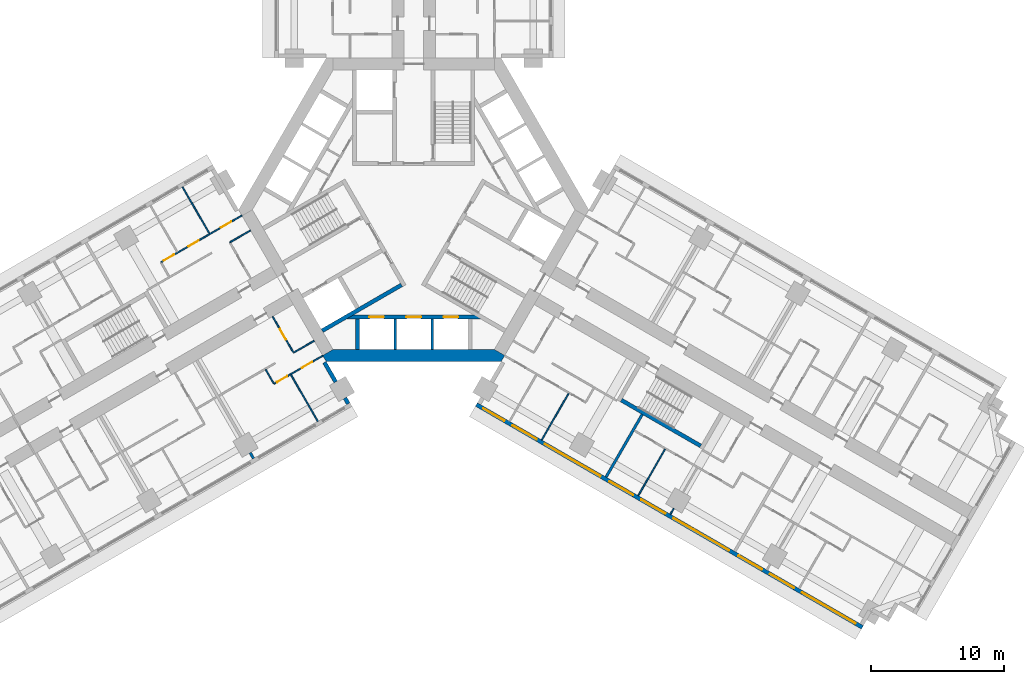
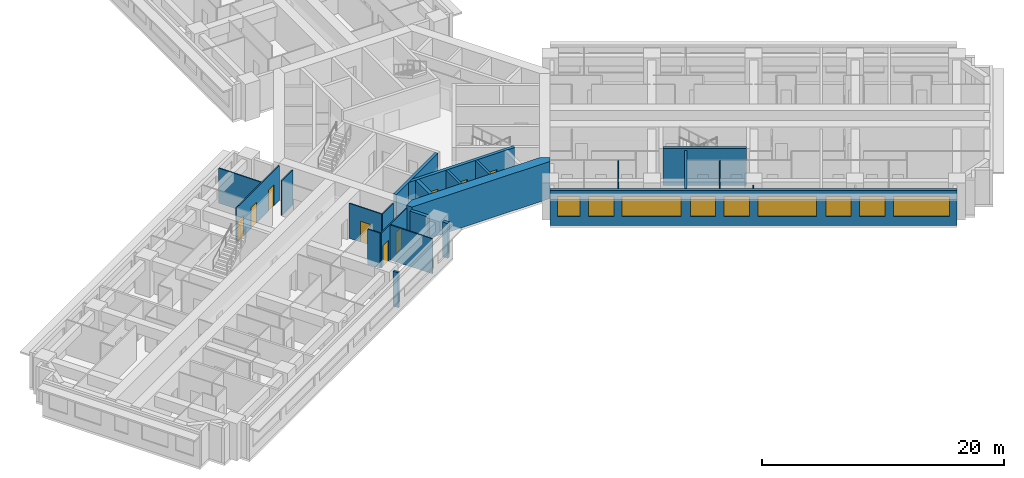
# One storey, part 6 of 16: 23 walls, 9 doors, 9 windows, 18 openings.
"""IFC4 building model written with IfcOpenShell, lengths in metres."""

import ifcopenshell
import ifcopenshell.guid

model = None  # the IFC model being written
_history = None  # IfcOwnerHistory: only IFC2X3 demands one
_inside = {}  # id of a spatial element -> (the spatial element, [elements in it])
_under = {}  # id of a project, library or spatial element -> (it, [spatial elements below it])
_declared = {}  # id of a project -> (the project, [libraries it declares])
_typed = {}  # id of a type object -> (the type object, [elements of that type])
_made_of = {}  # id of a material, layer set ... -> (it, [elements and type objects made of it])


def new_model(schema):
    """Start an empty IFC model of exactly this schema.

    Asked for "IFC4X3", IfcOpenShell would pick the latest addendum, in which some entities
    have other attributes; the version numbers below select the first issue.
    IFC2X3 requires an IfcOwnerHistory on every rooted entity: one is made here for all.
    """
    global model, _history
    if schema == "IFC4X3":
        model = ifcopenshell.file(schema_version=(4, 3, 0, 0))
    else:
        model = ifcopenshell.file(schema=schema)
    _inside.clear()
    _under.clear()
    _declared.clear()
    _typed.clear()
    _made_of.clear()
    _history = None
    if model.schema == "IFC2X3":
        org = make("IfcOrganization", Name="unknown")
        user = make(
            "IfcPersonAndOrganization",
            ThePerson=make("IfcPerson", FamilyName="unknown"),
            TheOrganization=org,
        )
        app = make(
            "IfcApplication",
            ApplicationDeveloper=org,
            Version="unknown",
            ApplicationFullName="unknown",
            ApplicationIdentifier="unknown",
        )
        _history = make(
            "IfcOwnerHistory",
            OwningUser=user,
            OwningApplication=app,
            ChangeAction="ADDED",
            CreationDate=0,
        )
    return model


def make(cls, **values):
    """One entity of the class cls with the attributes given. An attribute that is None is left unset."""
    return model.create_entity(
        cls, **{name: value for name, value in values.items() if value is not None}
    )


def rooted(cls, **values):
    """An entity with a GlobalId (a new one), such as an element, a storey or a relation."""
    return make(cls, GlobalId=ifcopenshell.guid.new(), OwnerHistory=_history, **values)


def si_unit(unit_type, name, prefix=None):
    """IfcSIUnit, for example si_unit("LENGTHUNIT", "METRE", prefix="MILLI")."""
    return make("IfcSIUnit", UnitType=unit_type, Prefix=prefix, Name=name)


def assignment(units):
    """IfcUnitAssignment: the units of a project."""
    return None if units is None else make("IfcUnitAssignment", Units=units)


def point(xyz):
    """IfcCartesianPoint."""
    return None if xyz is None else make("IfcCartesianPoint", Coordinates=xyz)


def direction(xyz):
    """IfcDirection."""
    return None if xyz is None else make("IfcDirection", DirectionRatios=xyz)


def frame(location, z_axis=None, x_axis=None):
    """IfcAxis2Placement3D, a coordinate frame: its origin and axes. An axis left out is left unset."""
    return make(
        "IfcAxis2Placement3D",
        Location=point(location),
        Axis=direction(z_axis),
        RefDirection=direction(x_axis),
    )


def frame_2d(location, x_axis=None):
    """IfcAxis2Placement2D, a coordinate frame in the plane: its origin and x axis."""
    return make(
        "IfcAxis2Placement2D", Location=point(location), RefDirection=direction(x_axis)
    )


def origin():
    """The frame at (0, 0, 0) with its axes left unset."""
    return frame((0.0, 0.0, 0.0))


def place(relative_to, where):
    """IfcLocalPlacement: puts the frame where relative to a parent placement (None: the world)."""
    return make(
        "IfcLocalPlacement", PlacementRelTo=relative_to, RelativePlacement=where
    )


def context(
    kind, dimensions, precision=None, world=None, true_north=None, identifier=None
):
    """IfcGeometricRepresentationContext, for example the 3D "Model" context."""
    return make(
        "IfcGeometricRepresentationContext",
        ContextIdentifier=identifier,
        ContextType=kind,
        CoordinateSpaceDimension=dimensions,
        Precision=precision,
        WorldCoordinateSystem=world,
        TrueNorth=true_north,
    )


def subcontext(parent, identifier, kind, view, scale=None):
    """IfcGeometricRepresentationSubContext, for example "Body" below "Model"."""
    return make(
        "IfcGeometricRepresentationSubContext",
        ContextIdentifier=identifier,
        ContextType=kind,
        ParentContext=parent,
        TargetScale=scale,
        TargetView=view,
    )


def project(units=None, contexts=None):
    """IfcProject with its units and contexts."""
    return rooted(
        "IfcProject",
        Name="project",
        RepresentationContexts=contexts,
        UnitsInContext=assignment(units),
    )


def spatial(cls, under=None, at=None, **own):
    """A site, building, storey or space (cls), placed at a placement, below another one or the project."""
    s = rooted(cls, ObjectPlacement=at, **own)
    if under is not None:
        _under.setdefault(under.id(), (under, []))[1].append(s)
    return s


def polyline(points):
    """IfcPolyline through the points."""
    return make("IfcPolyline", Points=[point(p) for p in points])


def profile(cls, at=None, kind="AREA", **sizes):
    """A parametric profile (cls). Its sizes go by their IFC names, for example OverallWidth=200.0."""
    return make(cls, ProfileType=kind, Position=at, **sizes)


def rectangle(**sizes):
    """IfcRectangleProfileDef."""
    return profile("IfcRectangleProfileDef", **sizes)


def outline(outer, holes=None, kind="AREA"):
    """IfcArbitraryClosedProfileDef: a profile drawn as a closed curve; with holes, ...WithVoids."""
    if holes is None:
        return make("IfcArbitraryClosedProfileDef", ProfileType=kind, OuterCurve=outer)
    return make(
        "IfcArbitraryProfileDefWithVoids",
        ProfileType=kind,
        OuterCurve=outer,
        InnerCurves=holes,
    )


def extrude(swept, where, along, depth):
    """IfcExtrudedAreaSolid: the profile swept, set in the frame where, extruded along a direction by depth."""
    return make(
        "IfcExtrudedAreaSolid",
        SweptArea=swept,
        Position=where,
        ExtrudedDirection=direction(along),
        Depth=depth,
    )


def shape(context_of_items, identifier, shape_type, items):
    """IfcShapeRepresentation: the items that make up one representation, for example the "Body"."""
    return make(
        "IfcShapeRepresentation",
        ContextOfItems=context_of_items,
        RepresentationIdentifier=identifier,
        RepresentationType=shape_type,
        Items=items,
    )


def material(Name=None, Category=None):
    """IfcMaterial."""
    return make("IfcMaterial", Name=Name, Category=Category)


def layer(
    of_material, thickness, ventilated=None, Name=None, Category=None, Priority=None
):
    """IfcMaterialLayer: one layer of a wall or slab, of a material (None: an air gap)."""
    return make(
        "IfcMaterialLayer",
        Material=of_material,
        LayerThickness=thickness,
        IsVentilated=ventilated,
        Name=Name,
        Category=Category,
        Priority=Priority,
    )


def layer_set(layers, Name=None):
    """IfcMaterialLayerSet."""
    return make("IfcMaterialLayerSet", MaterialLayers=layers, LayerSetName=Name)


def made_of(thing, what):
    """Note that an element or type object is made of a material, layer set ...; save() writes the relation."""
    if what is not None:
        _made_of.setdefault(what.id(), (what, []))[1].append(thing)
    return thing


def type_object(cls, material=None, **own):
    """A type object (cls), such as IfcWallType, which elements share."""
    return made_of(rooted(cls, **own), material)


def element(
    cls,
    number,
    at=None,
    inside=None,
    cuts=None,
    type_object=None,
    material=None,
    context=None,
    identifier="Body",
    shape_type=None,
    held_by="IfcProductDefinitionShape",
    body=None,
    shapes=None,
    **own,
):
    """One element of the class cls, such as IfcWall. Its Tag is "e" and its number.

    at: its placement. inside: the storey or other place that contains it. cuts: it is an
    opening in that element (IfcRelVoidsElement). A single representation is given by context,
    identifier, shape_type and body (its items); several are given by shapes. held_by: the class
    of the entity that holds the representations. save() writes the other relations.
    """
    e = rooted(cls, Tag="e%d" % number, ObjectPlacement=at, **own)
    if body is not None:
        shapes = [shape(context, identifier, shape_type, body)]
    if shapes is not None:
        e.Representation = make(held_by, Representations=shapes)
    if inside is not None:
        _inside.setdefault(inside.id(), (inside, []))[1].append(e)
    if cuts is not None:
        rooted(
            "IfcRelVoidsElement", RelatingBuildingElement=cuts, RelatedOpeningElement=e
        )
    if type_object is not None:
        _typed.setdefault(type_object.id(), (type_object, []))[1].append(e)
    return made_of(e, material)


def fill(opening, filler):
    """IfcRelFillsElement: the door or window that sits in an opening."""
    return rooted(
        "IfcRelFillsElement",
        RelatingOpeningElement=opening,
        RelatedBuildingElement=filler,
    )


def aggregate(whole, parts):
    """IfcRelAggregates: a whole, such as a stair, and the parts it consists of."""
    return rooted("IfcRelAggregates", RelatingObject=whole, RelatedObjects=parts)


def save(model, path):
    """Write the relations noted so far, then the file.

    IfcRelAggregates (storeys below a building ...), IfcRelContainedInSpatialStructure (elements
    in a storey), IfcRelDefinesByType, IfcRelAssociatesMaterial and IfcRelDeclares: one each for
    every whole, place, type object, material and project.
    """
    for whole, parts in _under.values():
        aggregate(whole, parts)
    for where, things in _inside.values():
        rooted(
            "IfcRelContainedInSpatialStructure",
            RelatedElements=things,
            RelatingStructure=where,
        )
    for kind, things in _typed.values():
        rooted("IfcRelDefinesByType", RelatedObjects=things, RelatingType=kind)
    for what, things in _made_of.values():
        rooted("IfcRelAssociatesMaterial", RelatedObjects=things, RelatingMaterial=what)
    for by, libraries in _declared.values():
        rooted("IfcRelDeclares", RelatingContext=by, RelatedDefinitions=libraries)
    model.write(path)


model = new_model("IFC4")

# Units and contexts
model_context = context("Model", 3, precision=1e-05, world=origin(), true_north=direction((0.0, 1.0)))
body_context = subcontext(model_context, "Body", "Model", "MODEL_VIEW")
ifc_project = project(units=[si_unit("LENGTHUNIT", "METRE"), si_unit("AREAUNIT", "SQUARE_METRE"), si_unit("VOLUMEUNIT", "CUBIC_METRE"), si_unit("PLANEANGLEUNIT", "RADIAN"), si_unit("MASSUNIT", "GRAM", prefix="KILO")], contexts=[model_context])

# Site, building, storey
site_placement = place(None, origin())
site = spatial("IfcSite", under=ifc_project, at=site_placement, CompositionType="ELEMENT")
building_placement = place(site_placement, origin())
building = spatial("IfcBuilding", under=site, at=building_placement, Name="Impinga Residences", CompositionType="ELEMENT")
storey_placement = place(building_placement, frame((0.0, 0.0, 78.5)))
storey = spatial("IfcBuildingStorey", under=building, at=storey_placement, Name="L19", CompositionType="ELEMENT", Elevation=78.5)

# Wall, openings, windows
ifc_material_1 = material(Name="Terracotta rainscreen on blockwork", Category="masonry")
ifc_layer_1 = layer(ifc_material_1, 0.300048828125)
ifc_layer_set_1 = layer_set([ifc_layer_1], Name="EW1 external wall, terracotta rainscreen on blockwork 300")
wall_type_1 = type_object("IfcWallType", Name="EW1 external wall, terracotta rainscreen on blockwork 300", PredefinedType="SOLIDWALL", material=ifc_layer_set_1)
wall_1_placement = place(storey_placement, frame((33.823486328125, -31.479248046875, 0.0), z_axis=(0.0, 0.0, 1.0), x_axis=(-0.866024291668, 0.500001926238, 0.0)))
wall_1 = element("IfcWall", 1, at=wall_1_placement, inside=storey, type_object=wall_type_1, Name="External wall EW1 L19", PredefinedType="SOLIDWALL", context=body_context, shape_type="SweptSolid", body=[
    extrude(rectangle(XDim=33.599853515625, YDim=0.300048828125, at=frame_2d((16.7998046875, 0.0))), origin(), (0.0, 0.0, 1.0), 3.530029296875),
])
opening_1_placement = place(wall_1_placement, frame((0.60009765625, 0.0, 0.89990234375)))
opening_1 = element("IfcOpeningElement", 2, at=opening_1_placement, cuts=wall_1, Name="Opening W10", PredefinedType="OPENING", context=body_context, shape_type="SweptSolid", body=[
    extrude(rectangle(XDim=4.64990234375, YDim=2.050048828125, at=frame_2d((2.324951171875, 1.02490234375))), frame((0.0, 0.159912109375, 0.0), z_axis=(0.0, -1.0, 0.0), x_axis=(1.0, 0.0, 0.0)), (0.0, 0.0, 1.0), 0.320068359375),
])
opening_2_placement = place(wall_1_placement, frame((5.949951171875, 0.0, 0.89990234375)))
opening_2 = element("IfcOpeningElement", 3, at=opening_2_placement, cuts=wall_1, Name="Opening W9", PredefinedType="OPENING", context=body_context, shape_type="SweptSolid", body=[
    extrude(rectangle(XDim=2.10009765625, YDim=2.050048828125, at=frame_2d((1.050048828125, 1.02490234375))), frame((0.0, 0.159912109375, 0.0), z_axis=(0.0, -1.0, 0.0), x_axis=(1.0, 0.0, 0.0)), (0.0, 0.0, 1.0), 0.320068359375),
])
opening_3_placement = place(wall_1_placement, frame((8.75, 0.0, 0.89990234375)))
opening_3 = element("IfcOpeningElement", 4, at=opening_3_placement, cuts=wall_1, Name="Opening W14", PredefinedType="OPENING", context=body_context, shape_type="SweptSolid", body=[
    extrude(rectangle(XDim=2.050048828125, YDim=2.050048828125, at=frame_2d((1.02490234375, 1.02490234375))), frame((0.0, 0.159912109375, 0.0), z_axis=(0.0, -1.0, 0.0), x_axis=(1.0, 0.0, 0.0)), (0.0, 0.0, 1.0), 0.320068359375),
])
opening_4_placement = place(wall_1_placement, frame((11.60009765625, 0.0, 0.89990234375)))
opening_4 = element("IfcOpeningElement", 5, at=opening_4_placement, cuts=wall_1, Name="Opening W6", PredefinedType="OPENING", context=body_context, shape_type="SweptSolid", body=[
    extrude(rectangle(XDim=4.85009765625, YDim=2.050048828125, at=frame_2d((2.425048828125, 1.02490234375))), frame((0.0, 0.159912109375, 0.0), z_axis=(0.0, -1.0, 0.0), x_axis=(1.0, 0.0, 0.0)), (0.0, 0.0, 1.0), 0.320068359375),
])
opening_5_placement = place(wall_1_placement, frame((17.14990234375, 0.0, 0.89990234375)))
opening_5 = element("IfcOpeningElement", 6, at=opening_5_placement, cuts=wall_1, Name="Opening W9", PredefinedType="OPENING", context=body_context, shape_type="SweptSolid", body=[
    extrude(rectangle(XDim=2.10009765625, YDim=2.050048828125, at=frame_2d((1.050048828125, 1.02490234375))), frame((0.0, 0.159912109375, 0.0), z_axis=(0.0, -1.0, 0.0), x_axis=(1.0, 0.0, 0.0)), (0.0, 0.0, 1.0), 0.320068359375),
])
opening_6_placement = place(wall_1_placement, frame((19.949951171875, 0.0, 0.89990234375)))
opening_6 = element("IfcOpeningElement", 7, at=opening_6_placement, cuts=wall_1, Name="Opening W14", PredefinedType="OPENING", context=body_context, shape_type="SweptSolid", body=[
    extrude(rectangle(XDim=2.050048828125, YDim=2.050048828125, at=frame_2d((1.02490234375, 1.02490234375))), frame((0.0, 0.159912109375, 0.0), z_axis=(0.0, -1.0, 0.0), x_axis=(1.0, 0.0, 0.0)), (0.0, 0.0, 1.0), 0.320068359375),
])
opening_7_placement = place(wall_1_placement, frame((22.800048828125, 0.0, 0.89990234375)))
opening_7 = element("IfcOpeningElement", 8, at=opening_7_placement, cuts=wall_1, Name="Opening W6", PredefinedType="OPENING", context=body_context, shape_type="SweptSolid", body=[
    extrude(rectangle(XDim=4.85009765625, YDim=2.050048828125, at=frame_2d((2.425048828125, 1.02490234375))), frame((0.0, 0.159912109375, 0.0), z_axis=(0.0, -1.0, 0.0), x_axis=(1.0, 0.0, 0.0)), (0.0, 0.0, 1.0), 0.320068359375),
])
opening_8_placement = place(wall_1_placement, frame((28.35009765625, 0.0, 0.89990234375)))
opening_8 = element("IfcOpeningElement", 9, at=opening_8_placement, cuts=wall_1, Name="Opening W9", PredefinedType="OPENING", context=body_context, shape_type="SweptSolid", body=[
    extrude(rectangle(XDim=2.10009765625, YDim=2.050048828125, at=frame_2d((1.050048828125, 1.02490234375))), frame((0.0, 0.159912109375, 0.0), z_axis=(0.0, -1.0, 0.0), x_axis=(1.0, 0.0, 0.0)), (0.0, 0.0, 1.0), 0.320068359375),
])
opening_9_placement = place(wall_1_placement, frame((31.14990234375, 0.0, 0.89990234375)))
opening_9 = element("IfcOpeningElement", 10, at=opening_9_placement, cuts=wall_1, Name="Opening W15", PredefinedType="OPENING", context=body_context, shape_type="SweptSolid", body=[
    extrude(rectangle(XDim=1.85009765625, YDim=2.050048828125, at=frame_2d((0.925048828125, 1.02490234375))), frame((0.0, 0.159912109375, 0.0), z_axis=(0.0, -1.0, 0.0), x_axis=(1.0, 0.0, 0.0)), (0.0, 0.0, 1.0), 0.320068359375),
])
ifc_material_2 = material(Name="Aluminium window, clear double glazing", Category="aluminium")
window_type_1 = type_object("IfcWindowType", Name="W10 ribbon window 4650x2050", PartitioningType="SINGLE_PANEL", PredefinedType="WINDOW", material=ifc_material_2)
window_1_placement = place(opening_1_placement, origin())
window_1 = element("IfcWindow", 11, at=window_1_placement, inside=storey, type_object=window_type_1, Name="Window L19", OverallHeight=2.050048828125, OverallWidth=4.64990234375, PartitioningType="SINGLE_PANEL", PredefinedType="WINDOW", context=body_context, shape_type="SweptSolid", body=[
    extrude(rectangle(XDim=4.64990234375, YDim=2.050048828125, at=frame_2d((2.324951171875, 1.02490234375))), frame((0.0, 0.030029296875, 0.0), z_axis=(0.0, -1.0, 0.0), x_axis=(1.0, 0.0, 0.0)), (0.0, 0.0, 1.0), 0.06005859375),
])
fill(opening_1, window_1)
window_type_2 = type_object("IfcWindowType", Name="W14 ribbon window 2050x2050", PartitioningType="SINGLE_PANEL", PredefinedType="WINDOW", material=ifc_material_2)
window_2_placement = place(opening_3_placement, origin())
window_2 = element("IfcWindow", 12, at=window_2_placement, inside=storey, type_object=window_type_2, Name="Window L19", OverallHeight=2.050048828125, OverallWidth=2.050048828125, PartitioningType="SINGLE_PANEL", PredefinedType="WINDOW", context=body_context, shape_type="SweptSolid", body=[
    extrude(rectangle(XDim=2.050048828125, YDim=2.050048828125, at=frame_2d((1.02490234375, 1.02490234375))), frame((0.0, 0.030029296875, 0.0), z_axis=(0.0, -1.0, 0.0), x_axis=(1.0, 0.0, 0.0)), (0.0, 0.0, 1.0), 0.06005859375),
])
fill(opening_3, window_2)
window_3_placement = place(opening_6_placement, origin())
window_3 = element("IfcWindow", 13, at=window_3_placement, inside=storey, type_object=window_type_2, Name="Window L19", OverallHeight=2.050048828125, OverallWidth=2.050048828125, PartitioningType="SINGLE_PANEL", PredefinedType="WINDOW", context=body_context, shape_type="SweptSolid", body=[
    extrude(rectangle(XDim=2.050048828125, YDim=2.050048828125, at=frame_2d((1.02490234375, 1.02490234375))), frame((0.0, 0.030029296875, 0.0), z_axis=(0.0, -1.0, 0.0), x_axis=(1.0, 0.0, 0.0)), (0.0, 0.0, 1.0), 0.06005859375),
])
fill(opening_6, window_3)
window_type_3 = type_object("IfcWindowType", Name="W15 ribbon window 1850x2050", PartitioningType="SINGLE_PANEL", PredefinedType="WINDOW", material=ifc_material_2)
window_4_placement = place(opening_9_placement, origin())
window_4 = element("IfcWindow", 14, at=window_4_placement, inside=storey, type_object=window_type_3, Name="Window L19", OverallHeight=2.050048828125, OverallWidth=1.85009765625, PartitioningType="SINGLE_PANEL", PredefinedType="WINDOW", context=body_context, shape_type="SweptSolid", body=[
    extrude(rectangle(XDim=1.85009765625, YDim=2.050048828125, at=frame_2d((0.925048828125, 1.02490234375))), frame((0.0, 0.030029296875, 0.0), z_axis=(0.0, -1.0, 0.0), x_axis=(1.0, 0.0, 0.0)), (0.0, 0.0, 1.0), 0.06005859375),
])
fill(opening_9, window_4)
window_type_4 = type_object("IfcWindowType", Name="W6 ribbon window 4850x2050", PartitioningType="SINGLE_PANEL", PredefinedType="WINDOW", material=ifc_material_2)
window_5_placement = place(opening_4_placement, origin())
window_5 = element("IfcWindow", 15, at=window_5_placement, inside=storey, type_object=window_type_4, Name="Window L19", OverallHeight=2.050048828125, OverallWidth=4.85009765625, PartitioningType="SINGLE_PANEL", PredefinedType="WINDOW", context=body_context, shape_type="SweptSolid", body=[
    extrude(rectangle(XDim=4.85009765625, YDim=2.050048828125, at=frame_2d((2.425048828125, 1.02490234375))), frame((0.0, 0.030029296875, 0.0), z_axis=(0.0, -1.0, 0.0), x_axis=(1.0, 0.0, 0.0)), (0.0, 0.0, 1.0), 0.06005859375),
])
fill(opening_4, window_5)
window_6_placement = place(opening_7_placement, origin())
window_6 = element("IfcWindow", 16, at=window_6_placement, inside=storey, type_object=window_type_4, Name="Window L19", OverallHeight=2.050048828125, OverallWidth=4.85009765625, PartitioningType="SINGLE_PANEL", PredefinedType="WINDOW", context=body_context, shape_type="SweptSolid", body=[
    extrude(rectangle(XDim=4.85009765625, YDim=2.050048828125, at=frame_2d((2.425048828125, 1.02490234375))), frame((0.0, 0.030029296875, 0.0), z_axis=(0.0, -1.0, 0.0), x_axis=(1.0, 0.0, 0.0)), (0.0, 0.0, 1.0), 0.06005859375),
])
fill(opening_7, window_6)
window_type_5 = type_object("IfcWindowType", Name="W9 ribbon window 2100x2050", PartitioningType="SINGLE_PANEL", PredefinedType="WINDOW", material=ifc_material_2)
window_7_placement = place(opening_2_placement, origin())
window_7 = element("IfcWindow", 17, at=window_7_placement, inside=storey, type_object=window_type_5, Name="Window L19", OverallHeight=2.050048828125, OverallWidth=2.10009765625, PartitioningType="SINGLE_PANEL", PredefinedType="WINDOW", context=body_context, shape_type="SweptSolid", body=[
    extrude(rectangle(XDim=2.10009765625, YDim=2.050048828125, at=frame_2d((1.050048828125, 1.02490234375))), frame((0.0, 0.030029296875, 0.0), z_axis=(0.0, -1.0, 0.0), x_axis=(1.0, 0.0, 0.0)), (0.0, 0.0, 1.0), 0.06005859375),
])
fill(opening_2, window_7)
window_8_placement = place(opening_5_placement, origin())
window_8 = element("IfcWindow", 18, at=window_8_placement, inside=storey, type_object=window_type_5, Name="Window L19", OverallHeight=2.050048828125, OverallWidth=2.10009765625, PartitioningType="SINGLE_PANEL", PredefinedType="WINDOW", context=body_context, shape_type="SweptSolid", body=[
    extrude(rectangle(XDim=2.10009765625, YDim=2.050048828125, at=frame_2d((1.050048828125, 1.02490234375))), frame((0.0, 0.030029296875, 0.0), z_axis=(0.0, -1.0, 0.0), x_axis=(1.0, 0.0, 0.0)), (0.0, 0.0, 1.0), 0.06005859375),
])
fill(opening_5, window_8)
window_9_placement = place(opening_8_placement, origin())
window_9 = element("IfcWindow", 19, at=window_9_placement, inside=storey, type_object=window_type_5, Name="Window L19", OverallHeight=2.050048828125, OverallWidth=2.10009765625, PartitioningType="SINGLE_PANEL", PredefinedType="WINDOW", context=body_context, shape_type="SweptSolid", body=[
    extrude(rectangle(XDim=2.10009765625, YDim=2.050048828125, at=frame_2d((1.050048828125, 1.02490234375))), frame((0.0, 0.030029296875, 0.0), z_axis=(0.0, -1.0, 0.0), x_axis=(1.0, 0.0, 0.0)), (0.0, 0.0, 1.0), 0.06005859375),
])
fill(opening_8, window_9)

# Walls
wall_2_placement = place(storey_placement, frame((-6.72998046875, -11.506591796875, 0.0), z_axis=(0.0, 0.0, 1.0), x_axis=(0.500062241894, -0.865989465428, 0.0)))
element("IfcWall", 20, at=wall_2_placement, inside=storey, type_object=wall_type_1, Name="External wall EW1 L19", PredefinedType="SOLIDWALL", context=body_context, shape_type="SweptSolid", body=[
    extrude(rectangle(XDim=1.699951171875, YDim=0.300048828125, at=frame_2d((0.85009765625, 0.0))), origin(), (0.0, 0.0, 1.0), 3.530029296875),
])
wall_3_placement = place(storey_placement, frame((-5.179931640625, -14.191162109375, 0.0), z_axis=(0.0, 0.0, 1.0), x_axis=(0.499919672301, -0.866071776036, 0.0)))
element("IfcWall", 21, at=wall_3_placement, inside=storey, type_object=wall_type_1, Name="External wall EW1 L19", PredefinedType="SOLIDWALL", context=body_context, shape_type="SweptSolid", body=[
    extrude(rectangle(XDim=0.5, YDim=0.300048828125, at=frame_2d((0.25, 0.0))), origin(), (0.0, 0.0, 1.0), 3.530029296875),
])
ifc_material_3 = material(Name="Gypsum board on steel studs", Category="steel")
ifc_layer_2 = layer(ifc_material_3, 0.10009765625)
ifc_layer_set_2 = layer_set([ifc_layer_2], Name="Gypsum board on steel studs")
wall_type_2 = type_object("IfcWallType", Name="IP1 partition 100", PredefinedType="PARTITIONING", material=ifc_layer_set_2)
wall_4_placement = place(storey_placement, frame((-7.5, -9.872802734375, 0.0), z_axis=(0.0, 0.0, 1.0), x_axis=(-0.866047807691, -0.499961193289, 0.0)))
element("IfcWall", 22, at=wall_4_placement, inside=storey, type_object=wall_type_2, Name="Partition L19-WA1:DIV0", PredefinedType="PARTITIONING", context=body_context, shape_type="SweptSolid", body=[
    extrude(rectangle(XDim=1.800048828125, YDim=0.10009765625, at=frame_2d((0.89990234375, 0.0))), origin(), (0.0, 0.0, 1.0), 3.530029296875),
])

# Wall, openings, doors
wall_5_placement = place(storey_placement, frame((-6.85009765625, -10.99853515625, 0.0), z_axis=(0.0, 0.0, 1.0), x_axis=(-0.866014341725, -0.50001915956, 0.0)))
wall_5 = element("IfcWall", 23, at=wall_5_placement, inside=storey, type_object=wall_type_2, Name="Partition L19-WA1:STRIP", PredefinedType="PARTITIONING", context=body_context, shape_type="SweptSolid", body=[
    extrude(rectangle(XDim=4.249755859375, YDim=0.10009765625, at=frame_2d((2.125, 0.0))), origin(), (0.0, 0.0, 1.0), 3.530029296875),
])
opening_10_placement = place(wall_5_placement, frame((0.925048828125, 0.0, 0.0)))
opening_10 = element("IfcOpeningElement", 24, at=opening_10_placement, cuts=wall_5, Name="Opening D2", PredefinedType="OPENING", context=body_context, shape_type="SweptSolid", body=[
    extrude(rectangle(XDim=0.89990234375, YDim=2.10009765625, at=frame_2d((0.449951171875, 1.050048828125))), frame((0.0, 0.06005859375, 0.0), z_axis=(0.0, -1.0, 0.0), x_axis=(1.0, 0.0, 0.0)), (0.0, 0.0, 1.0), 0.1201171875),
])
opening_11_placement = place(wall_5_placement, frame((3.10009765625, 0.0, 0.0)))
opening_11 = element("IfcOpeningElement", 25, at=opening_11_placement, cuts=wall_5, Name="Opening D2", PredefinedType="OPENING", context=body_context, shape_type="SweptSolid", body=[
    extrude(rectangle(XDim=0.89990234375, YDim=2.10009765625, at=frame_2d((0.449951171875, 1.050048828125))), frame((0.0, 0.06005859375, 0.0), z_axis=(0.0, -1.0, 0.0), x_axis=(1.0, 0.0, 0.0)), (0.0, 0.0, 1.0), 0.1201171875),
])
ifc_material_4 = material(Name="Timber door set", Category="wood")
door_type_1 = type_object("IfcDoorType", Name="D2 internal door 900x2100", OperationType="SINGLE_SWING_LEFT", PredefinedType="DOOR", material=ifc_material_4)
door_1_placement = place(opening_10_placement, origin())
door_1 = element("IfcDoor", 26, at=door_1_placement, inside=storey, type_object=door_type_1, Name="Apartment L19-WA1 room door", OperationType="SINGLE_SWING_LEFT", OverallHeight=2.10009765625, OverallWidth=0.89990234375, PredefinedType="DOOR", context=body_context, shape_type="SweptSolid", body=[
    extrude(rectangle(XDim=0.89990234375, YDim=2.10009765625, at=frame_2d((0.449951171875, 1.050048828125))), frame((0.0, 0.02490234375, 0.0), z_axis=(0.0, -1.0, 0.0), x_axis=(1.0, 0.0, 0.0)), (0.0, 0.0, 1.0), 0.050048828125),
])
fill(opening_10, door_1)
door_2_placement = place(opening_11_placement, origin())
door_2 = element("IfcDoor", 27, at=door_2_placement, inside=storey, type_object=door_type_1, Name="Apartment L19-WA1 room door", OperationType="SINGLE_SWING_RIGHT", OverallHeight=2.10009765625, OverallWidth=0.89990234375, PredefinedType="DOOR", context=body_context, shape_type="SweptSolid", body=[
    extrude(rectangle(XDim=0.89990234375, YDim=2.10009765625, at=frame_2d((0.449951171875, 1.050048828125))), frame((0.0, 0.02490234375, 0.0), z_axis=(0.0, -1.0, 0.0), x_axis=(1.0, 0.0, 0.0)), (0.0, 0.0, 1.0), 0.050048828125),
])
fill(opening_11, door_2)

# Wall
wall_6_placement = place(storey_placement, frame((-11.155517578125, -12.041015625, 0.0), z_axis=(0.0, 0.0, 1.0), x_axis=(0.499880961361, -0.866094119867, 0.0)))
element("IfcWall", 28, at=wall_6_placement, inside=storey, type_object=wall_type_2, Name="Partition L19-WA1:SE1", PredefinedType="PARTITIONING", context=body_context, shape_type="SweptSolid", body=[
    extrude(rectangle(XDim=1.199951171875, YDim=0.10009765625, at=frame_2d((0.60009765625, 0.0))), origin(), (0.0, 0.0, 1.0), 3.530029296875),
])

# Wall, opening, door
wall_7_placement = place(storey_placement, frame((-10.6337890625, -8.044677734375, 0.0), z_axis=(0.0, 0.0, 1.0), x_axis=(0.49999285859, -0.86602952684, 0.0)))
wall_7 = element("IfcWall", 29, at=wall_7_placement, inside=storey, type_object=wall_type_2, Name="Partition L19-WA1:IB1", PredefinedType="PARTITIONING", context=body_context, shape_type="SweptSolid", body=[
    extrude(rectangle(XDim=3.10009765625, YDim=0.10009765625, at=frame_2d((1.550048828125, 0.0))), origin(), (0.0, 0.0, 1.0), 3.530029296875),
])
opening_12_placement = place(wall_7_placement, frame((1.10009765625, 0.0, 0.0)))
opening_12 = element("IfcOpeningElement", 30, at=opening_12_placement, cuts=wall_7, Name="Opening D2", PredefinedType="OPENING", context=body_context, shape_type="SweptSolid", body=[
    extrude(rectangle(XDim=0.89990234375, YDim=2.10009765625, at=frame_2d((0.449951171875, 1.050048828125))), frame((0.0, 0.06005859375, 0.0), z_axis=(0.0, -1.0, 0.0), x_axis=(1.0, 0.0, 0.0)), (0.0, 0.0, 1.0), 0.1201171875),
])
door_3_placement = place(opening_12_placement, origin())
door_3 = element("IfcDoor", 31, at=door_3_placement, inside=storey, type_object=door_type_1, Name="Apartment L19-WA1 bathroom door", OperationType="SINGLE_SWING_LEFT", OverallHeight=2.10009765625, OverallWidth=0.89990234375, PredefinedType="DOOR", context=body_context, shape_type="SweptSolid", body=[
    extrude(rectangle(XDim=0.89990234375, YDim=2.10009765625, at=frame_2d((0.449951171875, 1.050048828125))), frame((0.0, 0.02490234375, 0.0), z_axis=(0.0, -1.0, 0.0), x_axis=(1.0, 0.0, 0.0)), (0.0, 0.0, 1.0), 0.050048828125),
])
fill(opening_12, door_3)

# Walls
wall_8_placement = place(storey_placement, frame((-9.249755859375, -12.44189453125, 0.0), z_axis=(0.0, 0.0, 1.0), x_axis=(0.499990325971, -0.866030989016, 0.0)))
element("IfcWall", 32, at=wall_8_placement, inside=storey, type_object=wall_type_2, Name="Partition L19-WA1:OB1", PredefinedType="PARTITIONING", context=body_context, shape_type="SweptSolid", body=[
    extrude(rectangle(XDim=4.0498046875, YDim=0.10009765625, at=frame_2d((2.02490234375, 0.0))), origin(), (0.0, 0.0, 1.0), 3.530029296875),
])
wall_9_placement = place(storey_placement, frame((-12.300048828125, -1.558837890625, 0.0), z_axis=(0.0, 0.0, 1.0), x_axis=(-0.866047807691, -0.499961193289, 0.0)))
element("IfcWall", 33, at=wall_9_placement, inside=storey, type_object=wall_type_2, Name="Partition L19-WF1:DIV0", PredefinedType="PARTITIONING", context=body_context, shape_type="SweptSolid", body=[
    extrude(rectangle(XDim=1.800048828125, YDim=0.10009765625, at=frame_2d((0.89990234375, 0.0))), origin(), (0.0, 0.0, 1.0), 3.530029296875),
])

# Wall, openings, doors
wall_10_placement = place(storey_placement, frame((-12.949951171875, -0.43310546875, 0.0), z_axis=(0.0, 0.0, 1.0), x_axis=(-0.866031034943, -0.499990246421, 0.0)))
wall_10 = element("IfcWall", 34, at=wall_10_placement, inside=storey, type_object=wall_type_2, Name="Partition L19-WF1:STRIP", PredefinedType="PARTITIONING", context=body_context, shape_type="SweptSolid", body=[
    extrude(rectangle(XDim=7.050048828125, YDim=0.10009765625, at=frame_2d((3.52490234375, 0.0))), origin(), (0.0, 0.0, 1.0), 3.530029296875),
])
opening_13_placement = place(wall_10_placement, frame((0.925048828125, 0.0, 0.0)))
opening_13 = element("IfcOpeningElement", 35, at=opening_13_placement, cuts=wall_10, Name="Opening D2", PredefinedType="OPENING", context=body_context, shape_type="SweptSolid", body=[
    extrude(rectangle(XDim=0.89990234375, YDim=2.10009765625, at=frame_2d((0.449951171875, 1.050048828125))), frame((0.0, 0.06005859375, 0.0), z_axis=(0.0, -1.0, 0.0), x_axis=(1.0, 0.0, 0.0)), (0.0, 0.0, 1.0), 0.1201171875),
])
opening_14_placement = place(wall_10_placement, frame((3.75, 0.0, 0.0)))
opening_14 = element("IfcOpeningElement", 36, at=opening_14_placement, cuts=wall_10, Name="Opening D2", PredefinedType="OPENING", context=body_context, shape_type="SweptSolid", body=[
    extrude(rectangle(XDim=0.89990234375, YDim=2.10009765625, at=frame_2d((0.449951171875, 1.050048828125))), frame((0.0, 0.06005859375, 0.0), z_axis=(0.0, -1.0, 0.0), x_axis=(1.0, 0.0, 0.0)), (0.0, 0.0, 1.0), 0.1201171875),
])
opening_15_placement = place(wall_10_placement, frame((5.89990234375, 0.0, 0.0)))
opening_15 = element("IfcOpeningElement", 37, at=opening_15_placement, cuts=wall_10, Name="Opening D2", PredefinedType="OPENING", context=body_context, shape_type="SweptSolid", body=[
    extrude(rectangle(XDim=0.89990234375, YDim=2.10009765625, at=frame_2d((0.449951171875, 1.050048828125))), frame((0.0, 0.06005859375, 0.0), z_axis=(0.0, -1.0, 0.0), x_axis=(1.0, 0.0, 0.0)), (0.0, 0.0, 1.0), 0.1201171875),
])
door_4_placement = place(opening_13_placement, origin())
door_4 = element("IfcDoor", 38, at=door_4_placement, inside=storey, type_object=door_type_1, Name="Apartment L19-WF1 room door", OperationType="SINGLE_SWING_LEFT", OverallHeight=2.10009765625, OverallWidth=0.89990234375, PredefinedType="DOOR", context=body_context, shape_type="SweptSolid", body=[
    extrude(rectangle(XDim=0.89990234375, YDim=2.10009765625, at=frame_2d((0.449951171875, 1.050048828125))), frame((0.0, 0.02490234375, 0.0), z_axis=(0.0, -1.0, 0.0), x_axis=(1.0, 0.0, 0.0)), (0.0, 0.0, 1.0), 0.050048828125),
])
fill(opening_13, door_4)
door_5_placement = place(opening_14_placement, origin())
door_5 = element("IfcDoor", 39, at=door_5_placement, inside=storey, type_object=door_type_1, Name="Apartment L19-WF1 room door", OperationType="SINGLE_SWING_RIGHT", OverallHeight=2.10009765625, OverallWidth=0.89990234375, PredefinedType="DOOR", context=body_context, shape_type="SweptSolid", body=[
    extrude(rectangle(XDim=0.89990234375, YDim=2.10009765625, at=frame_2d((0.449951171875, 1.050048828125))), frame((0.0, 0.02490234375, 0.0), z_axis=(0.0, -1.0, 0.0), x_axis=(1.0, 0.0, 0.0)), (0.0, 0.0, 1.0), 0.050048828125),
])
fill(opening_14, door_5)
door_6_placement = place(opening_15_placement, origin())
door_6 = element("IfcDoor", 40, at=door_6_placement, inside=storey, type_object=door_type_1, Name="Apartment L19-WF1 room door", OperationType="SINGLE_SWING_RIGHT", OverallHeight=2.10009765625, OverallWidth=0.89990234375, PredefinedType="DOOR", context=body_context, shape_type="SweptSolid", body=[
    extrude(rectangle(XDim=0.89990234375, YDim=2.10009765625, at=frame_2d((0.449951171875, 1.050048828125))), frame((0.0, 0.02490234375, 0.0), z_axis=(0.0, -1.0, 0.0), x_axis=(1.0, 0.0, 0.0)), (0.0, 0.0, 1.0), 0.050048828125),
])
fill(opening_15, door_6)

# Walls
for number, where, z_axis, x_axis, name in (
    (41, (-15.39990234375, -1.789794921875, 0.0), (0.0, 0.0, 1.0), (-0.499964223975, 0.866046058097, 0.0), "Partition L19-WF1:OB1"),
    (42, (11.6748046875, -13.841796875, 0.0), (0.0, 0.0, 1.0), (-0.500035537042, -0.866004885491, 0.0), "Partition L19-EF1:OB2"),
):
    element("IfcWall", number, at=place(storey_placement, frame(where, z_axis=z_axis, x_axis=x_axis)), inside=storey, type_object=wall_type_2, Name=name, PredefinedType="PARTITIONING", context=body_context, shape_type="SweptSolid", body=[
        extrude(rectangle(XDim=4.050048828125, YDim=0.10009765625, at=frame_2d((2.02490234375, 0.0))), origin(), (0.0, 0.0, 1.0), 3.530029296875),
    ])
wall_11_placement = place(storey_placement, frame((18.949462890625, -18.041748046875, 0.0), z_axis=(0.0, 0.0, 1.0), x_axis=(-0.50000943426, -0.866019956843, 0.0)))
element("IfcWall", 43, at=wall_11_placement, inside=storey, type_object=wall_type_2, Name="Partition L19-EF2:OB1", PredefinedType="PARTITIONING", context=body_context, shape_type="SweptSolid", body=[
    extrude(rectangle(XDim=4.05029296875, YDim=0.10009765625, at=frame_2d((2.025146484375, 0.0))), origin(), (0.0, 0.0, 1.0), 3.530029296875),
])
wall_12_placement = place(storey_placement, frame((19.59912109375, -22.51611328125, 0.0), z_axis=(0.0, 0.0, 1.0), x_axis=(-0.499919672301, -0.866071776036, 0.0)))
element("IfcWall", 44, at=wall_12_placement, inside=storey, type_object=wall_type_2, Name="Partition L19-EF2:OB2b", PredefinedType="PARTITIONING", context=body_context, shape_type="SweptSolid", body=[
    extrude(rectangle(XDim=0.5, YDim=0.10009765625, at=frame_2d((0.25, 0.0))), origin(), (0.0, 0.0, 1.0), 3.530029296875),
])
ifc_material_5 = material(Name="Concrete blockwork", Category="masonry")
ifc_layer_3 = layer(ifc_material_5, 0.199951171875)
ifc_layer_set_3 = layer_set([ifc_layer_3], Name="PW1 party wall between apartments 200")
wall_type_3 = type_object("IfcWallType", Name="PW1 party wall between apartments 200", PredefinedType="SOLIDWALL", material=ifc_layer_set_3)
wall_13_placement = place(storey_placement, frame((-12.32470703125, -18.316162109375, 0.0), z_axis=(0.0, 0.0, 1.0), x_axis=(0.499919672301, -0.866071776036, 0.0)))
element("IfcWall", 45, at=wall_13_placement, inside=storey, type_object=wall_type_3, Name="Party wall between apartments L19-WA1:PARTYb", PredefinedType="SOLIDWALL", context=body_context, shape_type="SweptSolid", body=[
    extrude(rectangle(XDim=0.5, YDim=0.199951171875, at=frame_2d((0.25, 0.0))), origin(), (0.0, 0.0, 1.0), 3.530029296875),
])
wall_14_placement = place(storey_placement, frame((17.224365234375, -15.429443359375, 0.0), z_axis=(0.0, 0.0, 1.0), x_axis=(-0.499988730927, -0.866031909889, 0.0)))
element("IfcWall", 46, at=wall_14_placement, inside=storey, type_object=wall_type_3, Name="Party wall between apartments L19-EF1:PARTY", PredefinedType="SOLIDWALL", context=body_context, shape_type="SweptSolid", body=[
    extrude(rectangle(XDim=5.449951171875, YDim=0.199951171875, at=frame_2d((2.72509765625, 0.0))), origin(), (0.0, 0.0, 1.0), 3.530029296875),
])
ifc_material_6 = material(Name="Concrete C60/75", Category="concrete")
ifc_layer_4 = layer(ifc_material_6, 0.300048828125)
ifc_layer_set_4 = layer_set([ifc_layer_4], Name="Concrete C60/75")
wall_type_4 = type_object("IfcWallType", Name="SE1 wing stair enclosure wall 300", PredefinedType="SOLIDWALL", material=ifc_layer_set_4)
wall_15_placement = place(storey_placement, frame((15.654052734375, -14.349365234375, 0.0), z_axis=(0.0, 0.0, 1.0), x_axis=(0.866013532718, -0.500020560727, 0.0)))
element("IfcWall", 47, at=wall_15_placement, inside=storey, type_object=wall_type_4, Name="Stair enclosure wall SE1 E OUT L19", PredefinedType="SOLIDWALL", context=body_context, shape_type="SweptSolid", body=[
    extrude(rectangle(XDim=6.900146484375, YDim=0.300048828125, at=frame_2d((3.4501953125, 0.0))), origin(), (0.0, 0.0, 1.0), 3.75),
])
ifc_material_7 = material(Name="Concrete C70/85", Category="concrete")
ifc_layer_5 = layer(ifc_material_7, 0.89990234375)
ifc_layer_set_5 = layer_set([ifc_layer_5], Name="Concrete C70/85")
wall_type_5 = type_object("IfcWallType", Name="SW1 core wall 900", PredefinedType="SHEAR", material=ifc_layer_set_5)
wall_16_placement = place(storey_placement, origin())
element("IfcWall", 48, at=wall_16_placement, inside=storey, type_object=wall_type_5, Name="Core wall SW1 N:EXPOSED L19", PredefinedType="SHEAR", context=body_context, shape_type="SweptSolid", body=[
    extrude(outline(polyline([(-6.60009765625, -11.431640625), (6.60009765625, -11.431640625), (6.85986328125, -10.9814453125), (6.080322265625, -10.531494140625), (-6.080322265625, -10.531494140625), (-6.85986328125, -10.9814453125), (-6.60009765625, -11.431640625)])), origin(), (0.0, 0.0, 1.0), 3.75),
])
ifc_layer_6 = layer(ifc_material_7, 0.300048828125)
ifc_layer_set_6 = layer_set([ifc_layer_6], Name="Concrete C70/85")
wall_type_6 = type_object("IfcWallType", Name="SW5 core inner wall, stairs, shafts and lobbies 300", PredefinedType="SHEAR", material=ifc_layer_set_6)
wall_17_placement = place(storey_placement, frame((-0.918701171875, -5.668701171875, 0.0), z_axis=(0.0, 0.0, 1.0), x_axis=(-0.866011800373, -0.500023561059, 0.0)))
element("IfcWall", 49, at=wall_17_placement, inside=storey, type_object=wall_type_6, Name="Core wall SW5 W:FF-OUT L19", PredefinedType="SHEAR", context=body_context, shape_type="SweptSolid", body=[
    extrude(rectangle(XDim=6.901611328125, YDim=0.300048828125, at=frame_2d((3.45068359375, 0.0))), origin(), (0.0, 0.0, 1.0), 3.75),
])

# Wall, openings, doors
wall_18_placement = place(storey_placement, frame((5.09765625, -8.08154296875, 0.0), z_axis=(0.0, 0.0, 1.0), x_axis=(-1.0, 0.0, 0.0)))
wall_18 = element("IfcWall", 50, at=wall_18_placement, inside=storey, type_object=wall_type_6, Name="Core wall SW5 N:BANK-FRONT L19", PredefinedType="SHEAR", context=body_context, shape_type="SweptSolid", body=[
    extrude(rectangle(XDim=10.1953125, YDim=0.300048828125, at=frame_2d((5.09765625, 0.0))), origin(), (0.0, 0.0, 1.0), 3.75),
])
opening_16_placement = place(wall_18_placement, frame((1.74755859375, 0.0, 0.0)))
opening_16 = element("IfcOpeningElement", 51, at=opening_16_placement, cuts=wall_18, Name="Opening LD1", PredefinedType="OPENING", context=body_context, shape_type="SweptSolid", body=[
    extrude(rectangle(XDim=1.10009765625, YDim=2.10009765625, at=frame_2d((0.550048828125, 1.050048828125))), frame((0.0, 0.159912109375, 0.0), z_axis=(0.0, -1.0, 0.0), x_axis=(1.0, 0.0, 0.0)), (0.0, 0.0, 1.0), 0.320068359375),
])
opening_17_placement = place(wall_18_placement, frame((4.547607421875, 0.0, 0.0)))
opening_17 = element("IfcOpeningElement", 52, at=opening_17_placement, cuts=wall_18, Name="Opening LD1", PredefinedType="OPENING", context=body_context, shape_type="SweptSolid", body=[
    extrude(rectangle(XDim=1.10009765625, YDim=2.10009765625, at=frame_2d((0.550048828125, 1.050048828125))), frame((0.0, 0.159912109375, 0.0), z_axis=(0.0, -1.0, 0.0), x_axis=(1.0, 0.0, 0.0)), (0.0, 0.0, 1.0), 0.320068359375),
])
opening_18_placement = place(wall_18_placement, frame((7.34765625, 0.0, 0.0)))
opening_18 = element("IfcOpeningElement", 53, at=opening_18_placement, cuts=wall_18, Name="Opening LD1", PredefinedType="OPENING", context=body_context, shape_type="SweptSolid", body=[
    extrude(rectangle(XDim=1.10009765625, YDim=2.10009765625, at=frame_2d((0.550048828125, 1.050048828125))), frame((0.0, 0.159912109375, 0.0), z_axis=(0.0, -1.0, 0.0), x_axis=(1.0, 0.0, 0.0)), (0.0, 0.0, 1.0), 0.320068359375),
])
ifc_material_8 = material(Name="Steel lift landing door", Category="steel")
door_type_2 = type_object("IfcDoorType", Name="LD1 passenger lift landing door 1100x2100", OperationType="DOUBLE_DOOR_SLIDING", PredefinedType="DOOR", material=ifc_material_8)
door_7_placement = place(opening_16_placement, origin())
door_7 = element("IfcDoor", 54, at=door_7_placement, inside=storey, type_object=door_type_2, Name="Lift landing door P1", OperationType="DOUBLE_DOOR_SLIDING", OverallHeight=2.10009765625, OverallWidth=1.10009765625, PredefinedType="DOOR", context=body_context, shape_type="SweptSolid", body=[
    extrude(rectangle(XDim=1.10009765625, YDim=2.10009765625, at=frame_2d((0.550048828125, 1.050048828125))), frame((0.0, 0.02490234375, 0.0), z_axis=(0.0, -1.0, 0.0), x_axis=(1.0, 0.0, 0.0)), (0.0, 0.0, 1.0), 0.050048828125),
])
fill(opening_16, door_7)
door_8_placement = place(opening_17_placement, origin())
door_8 = element("IfcDoor", 55, at=door_8_placement, inside=storey, type_object=door_type_2, Name="Lift landing door P2", OperationType="DOUBLE_DOOR_SLIDING", OverallHeight=2.10009765625, OverallWidth=1.10009765625, PredefinedType="DOOR", context=body_context, shape_type="SweptSolid", body=[
    extrude(rectangle(XDim=1.10009765625, YDim=2.10009765625, at=frame_2d((0.550048828125, 1.050048828125))), frame((0.0, 0.02490234375, 0.0), z_axis=(0.0, -1.0, 0.0), x_axis=(1.0, 0.0, 0.0)), (0.0, 0.0, 1.0), 0.050048828125),
])
fill(opening_17, door_8)
door_9_placement = place(opening_18_placement, origin())
door_9 = element("IfcDoor", 56, at=door_9_placement, inside=storey, type_object=door_type_2, Name="Lift landing door P3", OperationType="DOUBLE_DOOR_SLIDING", OverallHeight=2.10009765625, OverallWidth=1.10009765625, PredefinedType="DOOR", context=body_context, shape_type="SweptSolid", body=[
    extrude(rectangle(XDim=1.10009765625, YDim=2.10009765625, at=frame_2d((0.550048828125, 1.050048828125))), frame((0.0, 0.02490234375, 0.0), z_axis=(0.0, -1.0, 0.0), x_axis=(1.0, 0.0, 0.0)), (0.0, 0.0, 1.0), 0.050048828125),
])
fill(opening_18, door_9)

# Walls
wall_19_placement = place(storey_placement, frame((-4.25, -8.2314453125, 0.0), z_axis=(0.0, 0.0, 1.0), x_axis=(0.0, -1.0, 0.0)))
element("IfcWall", 57, at=wall_19_placement, inside=storey, type_object=wall_type_6, Name="Core wall SW5 N:BANK-R L19", PredefinedType="SHEAR", context=body_context, shape_type="SweptSolid", body=[
    extrude(rectangle(XDim=2.300048828125, YDim=0.300048828125, at=frame_2d((1.14990234375, 0.0))), origin(), (0.0, 0.0, 1.0), 3.75),
])
ifc_layer_7 = layer(ifc_material_7, 0.199951171875)
ifc_layer_set_7 = layer_set([ifc_layer_7], Name="Concrete C70/85")
wall_type_7 = type_object("IfcWallType", Name="SW6 lift shaft divider wall 200", PredefinedType="SHEAR", material=ifc_layer_set_7)
for number, where, z_axis, x_axis, name in (
    (58, (1.39990234375, -8.2314453125, 0.0), (0.0, 0.0, 1.0), (0.0, -1.0, 0.0), "Core wall SW6 N:BANK-D1 L19"),
    (59, (-1.39990234375, -8.2314453125, 0.0), (0.0, 0.0, 1.0), (0.0, -1.0, 0.0), "Core wall SW6 N:BANK-D2 L19"),
):
    element("IfcWall", number, at=place(storey_placement, frame(where, z_axis=z_axis, x_axis=x_axis)), inside=storey, type_object=wall_type_7, Name=name, PredefinedType="SHEAR", context=body_context, shape_type="SweptSolid", body=[
        extrude(rectangle(XDim=2.300048828125, YDim=0.199951171875, at=frame_2d((1.14990234375, 0.0))), origin(), (0.0, 0.0, 1.0), 3.75),
    ])

save(model, "model.ifc")
